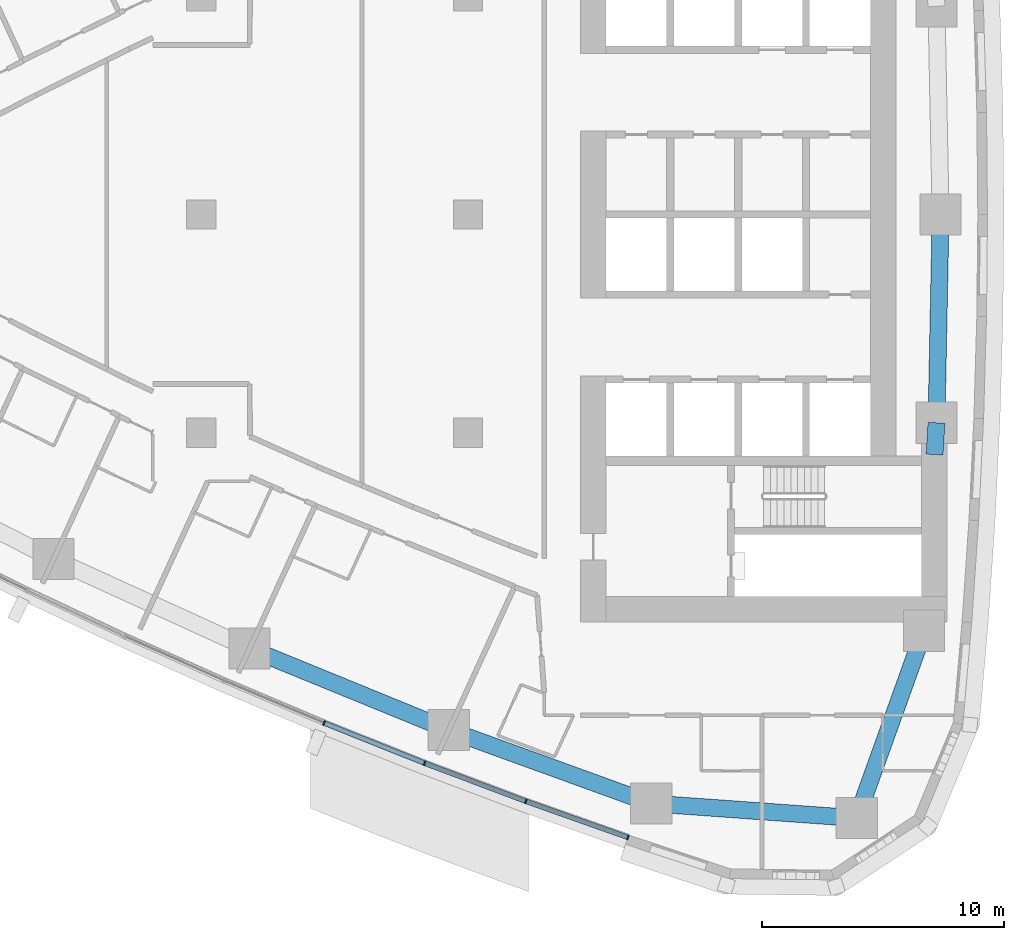
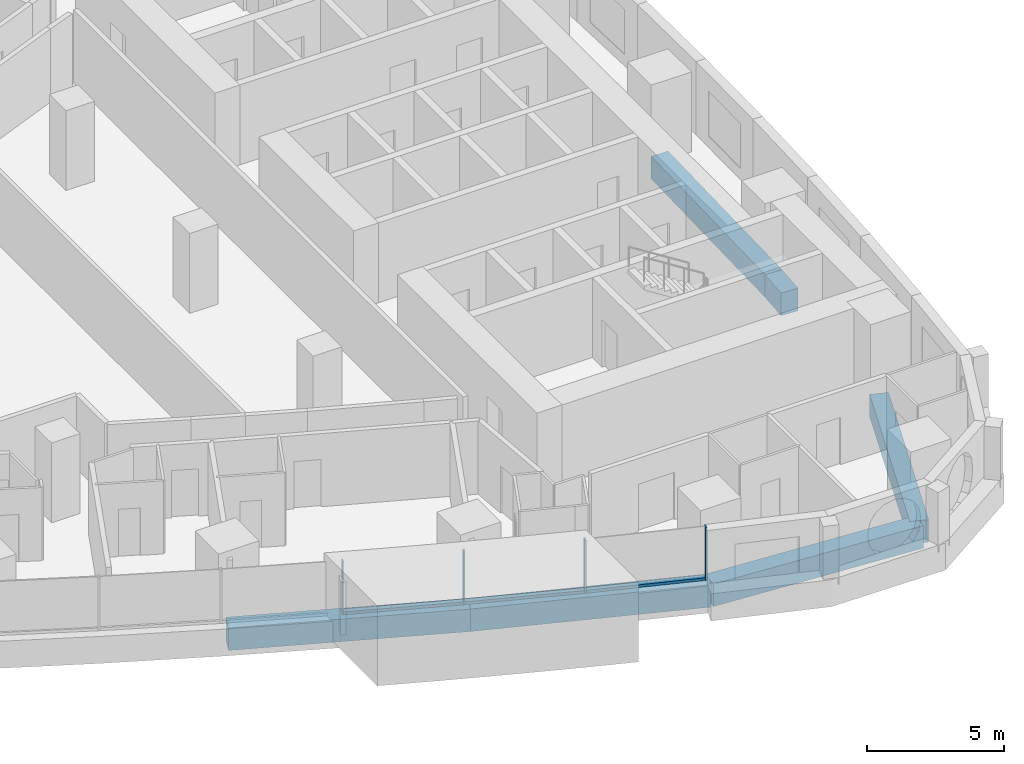
# One storey, part 4 of 17: 7 members, 6 beams, 2 elements without a shape of their own.
"""IFC4 building model written with IfcOpenShell, lengths in metres."""

from ifc_helpers import new_model, si_unit, direction, frame, origin, origin_2d, place, context, subcontext, project, spatial, rectangle, extrude, material, layer, layer_set, material_profile, profile_set, type_object, element, aggregate, save


model = new_model("IFC4")

# Units and contexts
model_context = context("Model", 3, precision=1e-05, world=origin(), true_north=direction((0.0, 1.0)))
body_context = subcontext(model_context, "Body", "Model", "MODEL_VIEW")
ifc_project = project(units=[si_unit("LENGTHUNIT", "METRE"), si_unit("AREAUNIT", "SQUARE_METRE"), si_unit("VOLUMEUNIT", "CUBIC_METRE"), si_unit("PLANEANGLEUNIT", "RADIAN"), si_unit("MASSUNIT", "GRAM", prefix="KILO")], contexts=[model_context])

# Site, building, storey
site_placement = place(None, origin())
site = spatial("IfcSite", under=ifc_project, at=site_placement, CompositionType="ELEMENT")
building_placement = place(site_placement, origin())
building = spatial("IfcBuilding", under=site, at=building_placement, Name="Ostrand Prow Hotel Tower", CompositionType="ELEMENT")
storey_placement = place(building_placement, frame((0.0, 0.0, 88.449951171875)))
storey = spatial("IfcBuildingStorey", under=building, at=storey_placement, Name="L20", CompositionType="ELEMENT", Elevation=88.449951171875)

# Beams
ifc_material_1 = material(Name="Concrete C80/95", Category="concrete")
ifc_material_profile_1 = material_profile(ifc_material_1, rectangle(XDim=0.699951171875, YDim=1.0, at=origin_2d()), Name="RC 700x1000")
ifc_profile_set_1 = profile_set([ifc_material_profile_1], Name="Concrete C80/95")
beam_type = type_object("IfcBeamType", Name="Edge beam 700x1000 C80/95", PredefinedType="SPANDREL", material=ifc_profile_set_1)
beam_1_placement = place(storey_placement, frame((35.98828125, -17.901611328125, -0.800048828125), z_axis=(0.925612172894, -0.378473387955, 0.0), x_axis=(0.378473387955, 0.925612172894, 0.0)))
element("IfcBeam", 1, at=beam_1_placement, inside=storey, type_object=beam_type, Name="Edge beam S4-S5", PredefinedType="SPANDREL", context=body_context, shape_type="SweptSolid", body=[
    extrude(rectangle(XDim=0.699951171875, YDim=1.0, at=origin_2d()), origin(), (0.0, 0.0, 1.0), 8.88330078125),
])
beam_2_placement = place(storey_placement, frame((44.210693359375, -21.263671875, -0.800048828125), z_axis=(0.940062739321, -0.341001533927, 0.0), x_axis=(0.341001533927, 0.940062739321, 0.0)))
element("IfcBeam", 2, at=beam_2_placement, inside=storey, type_object=beam_type, Name="Edge beam S5-S6", PredefinedType="SPANDREL", context=body_context, shape_type="SweptSolid", body=[
    extrude(rectangle(XDim=0.699951171875, YDim=1.0, at=origin_2d()), origin(), (0.0, 0.0, 1.0), 8.883544921875),
])
beam_3_placement = place(storey_placement, frame((52.561767578125, -24.29296875, -0.800048828125), z_axis=(0.99747195063, -0.071061295414, 0.0), x_axis=(0.071061295414, 0.99747195063, 0.0)))
element("IfcBeam", 3, at=beam_3_placement, inside=storey, type_object=beam_type, Name="Edge beam S6-SE", PredefinedType="SPANDREL", context=body_context, shape_type="SweptSolid", body=[
    extrude(rectangle(XDim=0.699951171875, YDim=1.0, at=origin_2d()), origin(), (0.0, 0.0, 1.0), 8.499755859375),
])
beam_4_placement = place(storey_placement, frame((61.0400390625, -24.89697265625, -0.800048828125), z_axis=(0.337815484063, 0.941212355809, 0.0), x_axis=(-0.941212355809, 0.337815484063, 0.0)))
element("IfcBeam", 4, at=beam_4_placement, inside=storey, type_object=beam_type, Name="Edge beam SE-B1", PredefinedType="SPANDREL", context=body_context, shape_type="SweptSolid", body=[
    extrude(rectangle(XDim=0.699951171875, YDim=1.0, at=origin_2d()), origin(), (0.0, 0.0, 1.0), 8.21630859375),
])
beam_5_placement = place(storey_placement, frame((64.25048828125, -9.89990234375, -0.800048828125), z_axis=(0.059658953766, 0.998218818314, 0.0), x_axis=(-0.998218818314, 0.059658953766, 0.0)))
element("IfcBeam", 5, at=beam_5_placement, inside=storey, type_object=beam_type, Name="Edge beam B1-B2", PredefinedType="SPANDREL", context=body_context, shape_type="SweptSolid", body=[
    extrude(rectangle(XDim=0.699951171875, YDim=1.0, at=origin_2d()), origin(), (0.0, 0.0, 1.0), 1.313720703125),
])
beam_6_placement = place(storey_placement, frame((64.328857421875, -8.588623046875, -0.800048828125), z_axis=(0.019922705812, 0.9998015232, 0.0), x_axis=(-0.9998015232, 0.019922705812, 0.0)))
element("IfcBeam", 6, at=beam_6_placement, inside=storey, type_object=beam_type, Name="Edge beam B2-B3", PredefinedType="SPANDREL", context=body_context, shape_type="SweptSolid", body=[
    extrude(rectangle(XDim=0.699951171875, YDim=1.0, at=origin_2d()), origin(), (0.0, 0.0, 1.0), 8.59033203125),
])

# Curtain wall, members
ifc_material_2 = material(Name="Insulated glass in bronze anodised frame", Category="glass")
ifc_layer = layer(ifc_material_2, 0.199951171875)
ifc_layer_set = layer_set([ifc_layer], Name="Insulated glass in bronze anodised frame")
curtain_wall_type = type_object("IfcCurtainWallType", Name="Strip curtain wall, fritted glass over bronze spandrel", PredefinedType="NOTDEFINED", material=ifc_layer_set)
curtain_wall_1_placement = place(storey_placement, origin())
curtain_wall_1 = element("IfcCurtainWall", 7, at=curtain_wall_1_placement, inside=storey, type_object=curtain_wall_type, Name="CW1 run CWS4", PredefinedType="NOTDEFINED")
ifc_material_3 = material(Name="Bronze anodised aluminium", Category="aluminium")
ifc_material_profile_2 = material_profile(ifc_material_3, rectangle(XDim=0.199951171875, YDim=0.06005859375, at=origin_2d()), Name="Mullion 60x200 bronze anodised aluminium")
ifc_profile_set_2 = profile_set([ifc_material_profile_2], Name="Bronze anodised aluminium")
member_type_1 = type_object("IfcMemberType", Name="Mullion 60x200 bronze anodised aluminium", PredefinedType="MULLION", material=ifc_profile_set_2)
member_1_placement = place(storey_placement, frame((39.06396484375, -20.97265625, 0.900146484375), z_axis=(0.0, 0.0, 1.0), x_axis=(0.370982121315, 0.928640008649, 0.0)))
member_1 = element("IfcMember", 8, at=member_1_placement, type_object=member_type_1, Name="CW1 mullion 2", PredefinedType="MULLION", context=body_context, shape_type="SweptSolid", body=[
    extrude(rectangle(XDim=0.199951171875, YDim=0.06005859375, at=origin_2d()), origin(), (0.0, 0.0, 1.0), 2.349853515625),
])
member_2_placement = place(storey_placement, frame((43.211181640625, -22.62939453125, 0.900146484375), z_axis=(0.0, 0.0, 1.0), x_axis=(0.370982121315, 0.928640008649, 0.0)))
member_2 = element("IfcMember", 9, at=member_2_placement, type_object=member_type_1, Name="CW1 mullion 3", PredefinedType="MULLION", context=body_context, shape_type="SweptSolid", body=[
    extrude(rectangle(XDim=0.199951171875, YDim=0.06005859375, at=origin_2d()), origin(), (0.0, 0.0, 1.0), 2.349853515625),
])

curtain_wall_2_placement = place(storey_placement, origin())
curtain_wall_2 = element("IfcCurtainWall", 10, at=curtain_wall_2_placement, inside=storey, type_object=curtain_wall_type, Name="CW1 run CWS5", PredefinedType="NOTDEFINED")
member_3_placement = place(storey_placement, frame((47.390869140625, -24.202880859375, 0.900146484375), z_axis=(0.0, 0.0, 1.0), x_axis=(0.333495894542, 0.942751551748, 0.0)))
member_3 = element("IfcMember", 11, at=member_3_placement, type_object=member_type_1, Name="CW1 mullion 2", PredefinedType="MULLION", context=body_context, shape_type="SweptSolid", body=[
    extrude(rectangle(XDim=0.199951171875, YDim=0.06005859375, at=origin_2d()), origin(), (0.0, 0.0, 1.0), 2.349853515625),
])
member_4_placement = place(storey_placement, frame((51.601318359375, -25.692138671875, 0.900146484375), z_axis=(0.0, 0.0, 1.0), x_axis=(0.333495894542, 0.942751551748, 0.0)))
member_4 = element("IfcMember", 12, at=member_4_placement, type_object=member_type_1, Name="CW1 mullion 3", PredefinedType="MULLION", context=body_context, shape_type="SweptSolid", body=[
    extrude(rectangle(XDim=0.199951171875, YDim=0.06005859375, at=origin_2d()), origin(), (0.0, 0.0, 1.0), 2.349853515625),
])

# Member
ifc_material_4 = material(Name="Bronze anodised aluminium", Category="aluminium")
ifc_material_profile_3 = material_profile(ifc_material_4, rectangle(XDim=0.199951171875, YDim=0.1201171875, at=origin_2d()), Name="Transom 120x200 bronze anodised aluminium")
ifc_profile_set_3 = profile_set([ifc_material_profile_3], Name="Bronze anodised aluminium")
member_type_2 = type_object("IfcMemberType", Name="Transom 120x200 bronze anodised aluminium", PredefinedType="USERDEFINED", material=ifc_profile_set_3)
member_5_placement = place(storey_placement, frame((39.091796875, -20.983642578125, 0.9599609375), z_axis=(0.928621833209, -0.371027614724, 0.0), x_axis=(0.371027614724, 0.928621833209, 0.0)))
member_5 = element("IfcMember", 13, at=member_5_placement, type_object=member_type_2, Name="CW1 transom 2.1", ObjectType="TRANSOM", PredefinedType="USERDEFINED", context=body_context, shape_type="SweptSolid", body=[
    extrude(rectangle(XDim=0.199951171875, YDim=0.1201171875, at=origin_2d()), origin(), (0.0, 0.0, 1.0), 4.406005859375),
])

aggregate(curtain_wall_1, [member_1, member_2, member_5])

member_6_placement = place(storey_placement, frame((43.2392578125, -22.639892578125, 0.9599609375), z_axis=(0.935868398429, -0.352349742191, 0.0), x_axis=(0.352349742191, 0.935868398429, 0.0)))
member_6 = element("IfcMember", 14, at=member_6_placement, type_object=member_type_2, Name="CW1 transom 1.1", ObjectType="TRANSOM", PredefinedType="USERDEFINED", context=body_context, shape_type="SweptSolid", body=[
    extrude(rectangle(XDim=0.199951171875, YDim=0.1201171875, at=origin_2d()), origin(), (0.0, 0.0, 1.0), 4.406005859375),
])

member_7_placement = place(storey_placement, frame((47.419189453125, -24.212890625, 0.9599609375), z_axis=(0.942763014139, -0.333463490013, 0.0), x_axis=(0.333463490013, 0.942763014139, 0.0)))
member_7 = element("IfcMember", 15, at=member_7_placement, type_object=member_type_2, Name="CW1 transom 2.1", ObjectType="TRANSOM", PredefinedType="USERDEFINED", context=body_context, shape_type="SweptSolid", body=[
    extrude(rectangle(XDim=0.199951171875, YDim=0.1201171875, at=origin_2d()), origin(), (0.0, 0.0, 1.0), 4.406005859375),
])

aggregate(curtain_wall_2, [member_3, member_4, member_6, member_7])

save(model, "model.ifc")
